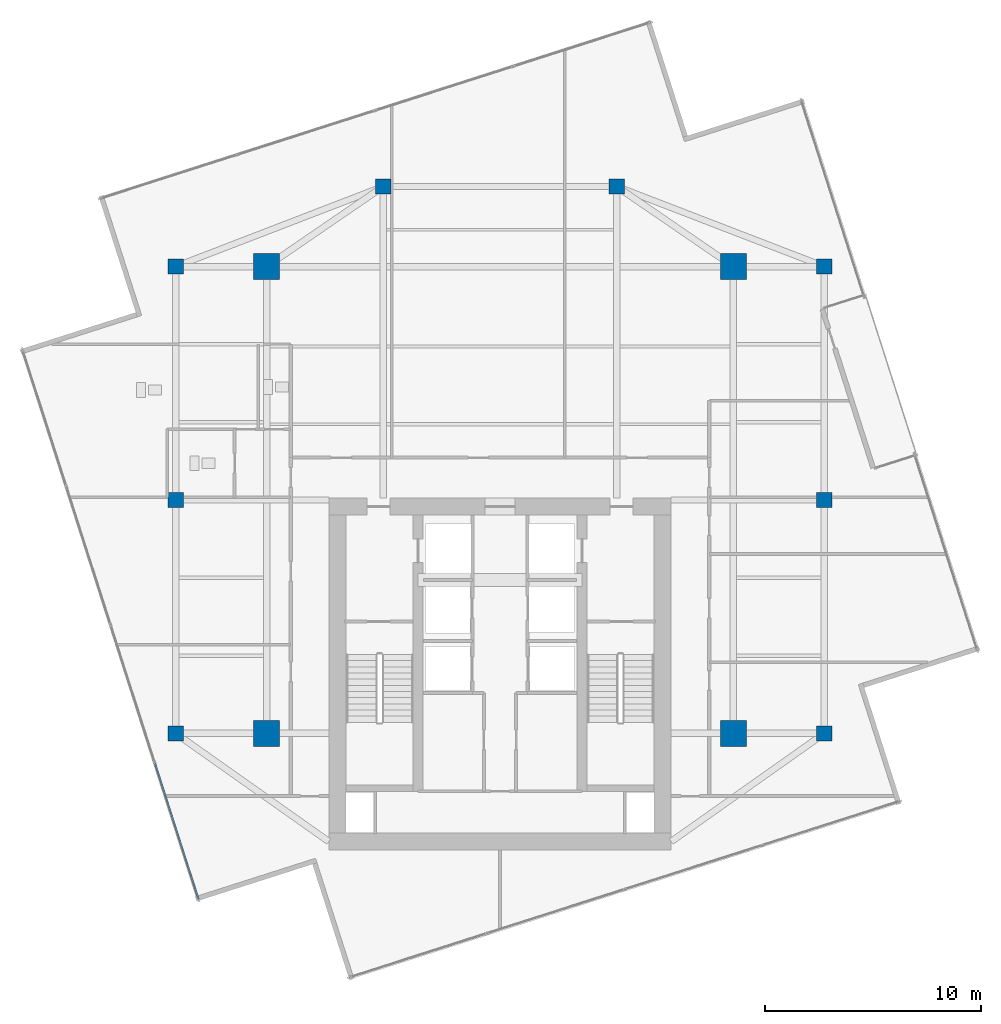
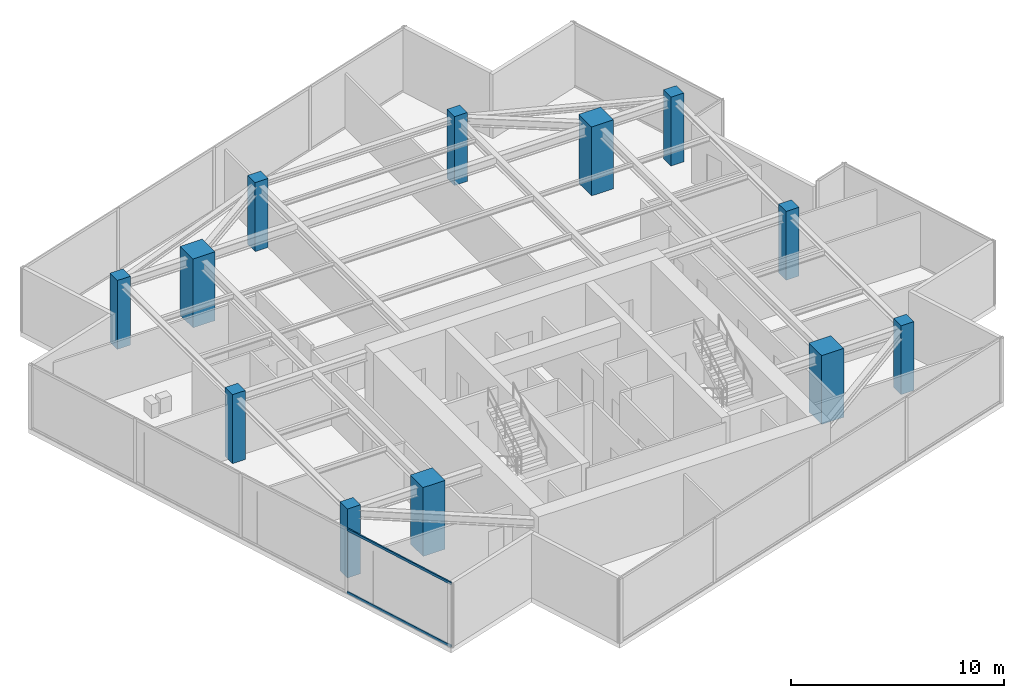
# One storey, part 1 of 21: 12 columns, 2 members, 1 element without a shape of its own.
"""IFC4 building model written with IfcOpenShell, lengths in metres."""

from ifc_helpers import new_model, si_unit, direction, frame, origin, origin_2d, place, context, subcontext, project, spatial, rectangle, hollow_rectangle, extrude, source, transform, mapped, material, material_profile, profile_set, type_object, type_shapes, element, aggregate, save


model = new_model("IFC4")

# Units and contexts
model_context = context("Model", 3, precision=1e-05, world=origin(), true_north=direction((0.0, 1.0)))
body_context = subcontext(model_context, "Body", "Model", "MODEL_VIEW")
ifc_project = project(units=[si_unit("LENGTHUNIT", "METRE"), si_unit("AREAUNIT", "SQUARE_METRE"), si_unit("VOLUMEUNIT", "CUBIC_METRE"), si_unit("PLANEANGLEUNIT", "RADIAN"), si_unit("MASSUNIT", "GRAM", prefix="KILO")], contexts=[model_context])

# Site, building, storey
site_placement = place(None, origin())
site = spatial("IfcSite", under=ifc_project, at=site_placement, CompositionType="ELEMENT")
building_placement = place(site_placement, origin())
building = spatial("IfcBuilding", under=site, at=building_placement, Name="Krantzveldt Concourse Tower", CompositionType="ELEMENT")
storey_placement = place(building_placement, frame((0.0, 0.0, 339.550048828125)))
storey = spatial("IfcBuildingStorey", under=building, at=storey_placement, Name="L83", CompositionType="ELEMENT", Elevation=339.550048828125)

# Columns
ifc_material_1 = material(Name="Concrete C50/60", Category="concrete")
ifc_material_profile_1 = material_profile(ifc_material_1, rectangle(XDim=1.199951171875, YDim=1.199951171875, at=origin_2d()), Name="Concrete C50/60", Category="concrete")
ifc_profile_set_1 = profile_set([ifc_material_profile_1], Name="Concrete C50/60 - RC 1200x1200")
column_type_1 = type_object("IfcColumnType", Name="COL-MC-1200", PredefinedType="USERDEFINED", material=ifc_profile_set_1)
shared_shape_1 = source(origin(), body_context, "Body", "SweptSolid", [
    extrude(rectangle(XDim=1.199951171875, YDim=1.199951171875, at=origin_2d()), origin(), (0.0, 0.0, 1.0), 3.949951171875),
])
type_shapes(column_type_1, [shared_shape_1])
for number, where, z_axis, x_axis, name in (
    (1, (25.199951171875, 15.89990234375, 0.0), (0.0, 0.0, 1.0), (1.0, 0.0, 0.0), "MC-SW-L83"),
    (2, (46.800048828125, 15.89990234375, 0.0), (0.0, 0.0, 1.0), (1.0, 0.0, 0.0), "MC-SE-L83"),
    (3, (46.800048828125, 37.5, 0.0), (0.0, 0.0, 1.0), (1.0, 0.0, 0.0), "MC-NE-L83"),
    (4, (25.199951171875, 37.5, 0.0), (0.0, 0.0, 1.0), (1.0, 0.0, 0.0), "MC-NW-L83"),
):
    element("IfcColumn", number, at=place(storey_placement, frame(where, z_axis=z_axis, x_axis=x_axis)), inside=storey, type_object=column_type_1, Name=name, ObjectType="MEGA COLUMN", PredefinedType="USERDEFINED", context=body_context, shape_type="MappedRepresentation", body=[
        mapped(shared_shape_1, transform((0.0, 0.0, 0.0), x_axis=(1.0, 0.0, 0.0), y_axis=(0.0, 1.0, 0.0), z_axis=(0.0, 0.0, 1.0), scale=1.0)),
    ])
ifc_material_profile_2 = material_profile(ifc_material_1, rectangle(XDim=0.699951171875, YDim=0.699951171875, at=origin_2d()), Name="Concrete C50/60", Category="concrete")
ifc_profile_set_2 = profile_set([ifc_material_profile_2], Name="Concrete C50/60 - RC 700x700")
column_type_2 = type_object("IfcColumnType", Name="COL-C-Z6", PredefinedType="COLUMN", material=ifc_profile_set_2)
shared_shape_2 = source(origin(), body_context, "Body", "SweptSolid", [
    extrude(rectangle(XDim=0.699951171875, YDim=0.699951171875, at=origin_2d()), origin(), (0.0, 0.0, 1.0), 3.949951171875),
])
type_shapes(column_type_2, [shared_shape_2])
for number, where, z_axis, x_axis, name in (
    (5, (21.0, 15.89990234375, 0.0), (0.0, 0.0, 1.0), (1.0, 0.0, 0.0), "PC-R01-L83"),
    (6, (21.0, 26.699951171875, 0.0), (0.0, 0.0, 1.0), (1.0, 0.0, 0.0), "PC-R02-L83"),
    (7, (21.0, 37.5, 0.0), (0.0, 0.0, 1.0), (1.0, 0.0, 0.0), "PC-R03-L83"),
    (8, (30.60009765625, 41.199951171875, 0.0), (0.0, 0.0, 1.0), (1.0, 0.0, 0.0), "PC-R04-L83"),
    (9, (41.39990234375, 41.199951171875, 0.0), (0.0, 0.0, 1.0), (1.0, 0.0, 0.0), "PC-R05-L83"),
    (10, (51.0, 37.5, 0.0), (0.0, 0.0, 1.0), (1.0, 0.0, 0.0), "PC-R06-L83"),
    (11, (51.0, 26.699951171875, 0.0), (0.0, 0.0, 1.0), (1.0, 0.0, 0.0), "PC-R07-L83"),
    (12, (51.0, 15.89990234375, 0.0), (0.0, 0.0, 1.0), (1.0, 0.0, 0.0), "PC-R08-L83"),
):
    element("IfcColumn", number, at=place(storey_placement, frame(where, z_axis=z_axis, x_axis=x_axis)), inside=storey, type_object=column_type_2, Name=name, PredefinedType="COLUMN", context=body_context, shape_type="MappedRepresentation", body=[
        mapped(shared_shape_2, transform((0.0, 0.0, 0.0), x_axis=(1.0, 0.0, 0.0), y_axis=(0.0, 1.0, 0.0), z_axis=(0.0, 0.0, 1.0), scale=1.0)),
    ])

# Curtain wall, members
ifc_material_2 = material(Name="Anodised aluminium 6063-T6", Category="aluminium")
curtain_wall_type = type_object("IfcCurtainWallType", Name="CW4", PredefinedType="USERDEFINED", material=ifc_material_2)
curtain_wall_placement = place(storey_placement, origin())
curtain_wall = element("IfcCurtainWall", 13, at=curtain_wall_placement, inside=storey, type_object=curtain_wall_type, Name="CW-L83-F04", ObjectType="UNITISED CURTAIN WALL", PredefinedType="USERDEFINED")
ifc_material_profile_3 = material_profile(ifc_material_2, hollow_rectangle(XDim=0.070068359375, YDim=0.139892578125, WallThickness=0.0048828125, at=origin_2d()), Name="Anodised aluminium 6063-T6", Category="aluminium")
ifc_profile_set_3 = profile_set([ifc_material_profile_3], Name="Anodised aluminium 6063-T6 - ALU-TRAN 140x70x5")
member_type = type_object("IfcMemberType", Name="CW-TRN-150", PredefinedType="USERDEFINED", material=ifc_profile_set_3)
shared_shape_3 = source(origin(), body_context, "Body", "SweptSolid", [
    extrude(hollow_rectangle(XDim=0.070068359375, YDim=0.139892578125, WallThickness=0.0048828125, at=origin_2d()), origin(), (0.0, 0.0, 1.0), 6.594970703125),
])
type_shapes(member_type, [shared_shape_3])
member_1_placement = place(storey_placement, frame((20.04345703125, 14.5205078125, 0.034912109375), z_axis=(0.304854976635, -0.952398783715, 0.0), x_axis=(0.952398783715, 0.304854976635, 0.0)))
member_1 = element("IfcMember", 14, at=member_1_placement, type_object=member_type, Name="CW-Z56 transom 4.1", ObjectType="TRANSOM", PredefinedType="USERDEFINED", context=body_context, shape_type="MappedRepresentation", body=[
    mapped(shared_shape_3, transform((0.0, 0.0, 0.0), x_axis=(1.0, 0.0, 0.0), y_axis=(0.0, 1.0, 0.0), z_axis=(0.0, 0.0, 1.0), scale=1.0)),
])
member_2_placement = place(storey_placement, frame((20.04345703125, 14.5205078125, 3.635009765625), z_axis=(0.304854976635, -0.952398783715, 0.0), x_axis=(0.952398783715, 0.304854976635, 0.0)))
member_2 = element("IfcMember", 15, at=member_2_placement, type_object=member_type, Name="CW-Z56 transom 4.2", ObjectType="TRANSOM", PredefinedType="USERDEFINED", context=body_context, shape_type="MappedRepresentation", body=[
    mapped(shared_shape_3, transform((0.0, 0.0, 0.0), x_axis=(1.0, 0.0, 0.0), y_axis=(0.0, 1.0, 0.0), z_axis=(0.0, 0.0, 1.0), scale=1.0)),
])
aggregate(curtain_wall, [member_1, member_2])

save(model, "model.ifc")
